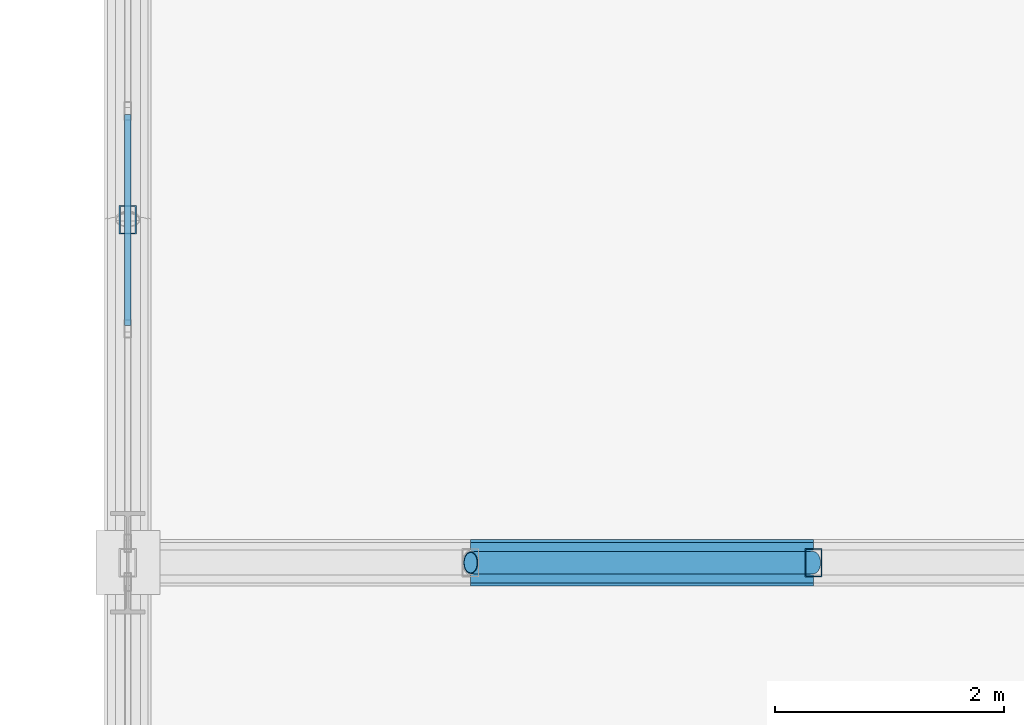
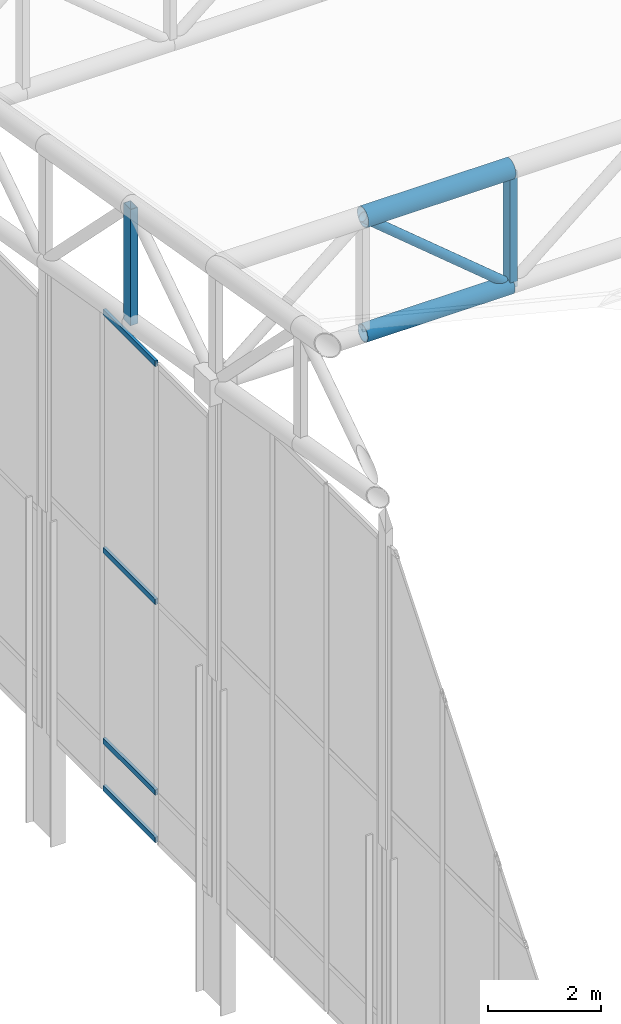
# One storey, part 88 of 239: 9 members, 1 element without a shape of its own.
"""IFC4 building model written with IfcOpenShell, lengths in metres."""

import ifcopenshell
import ifcopenshell.guid

model = None  # the IFC model being written
_history = None  # IfcOwnerHistory: only IFC2X3 demands one
_inside = {}  # id of a spatial element -> (the spatial element, [elements in it])
_under = {}  # id of a project, library or spatial element -> (it, [spatial elements below it])
_declared = {}  # id of a project -> (the project, [libraries it declares])
_typed = {}  # id of a type object -> (the type object, [elements of that type])
_made_of = {}  # id of a material, layer set ... -> (it, [elements and type objects made of it])


def new_model(schema):
    """Start an empty IFC model of exactly this schema.

    Asked for "IFC4X3", IfcOpenShell would pick the latest addendum, in which some entities
    have other attributes; the version numbers below select the first issue.
    IFC2X3 requires an IfcOwnerHistory on every rooted entity: one is made here for all.
    """
    global model, _history
    if schema == "IFC4X3":
        model = ifcopenshell.file(schema_version=(4, 3, 0, 0))
    else:
        model = ifcopenshell.file(schema=schema)
    _inside.clear()
    _under.clear()
    _declared.clear()
    _typed.clear()
    _made_of.clear()
    _history = None
    if model.schema == "IFC2X3":
        org = make("IfcOrganization", Name="unknown")
        user = make(
            "IfcPersonAndOrganization",
            ThePerson=make("IfcPerson", FamilyName="unknown"),
            TheOrganization=org,
        )
        app = make(
            "IfcApplication",
            ApplicationDeveloper=org,
            Version="unknown",
            ApplicationFullName="unknown",
            ApplicationIdentifier="unknown",
        )
        _history = make(
            "IfcOwnerHistory",
            OwningUser=user,
            OwningApplication=app,
            ChangeAction="ADDED",
            CreationDate=0,
        )
    return model


def make(cls, **values):
    """One entity of the class cls with the attributes given. An attribute that is None is left unset."""
    return model.create_entity(
        cls, **{name: value for name, value in values.items() if value is not None}
    )


def rooted(cls, **values):
    """An entity with a GlobalId (a new one), such as an element, a storey or a relation."""
    return make(cls, GlobalId=ifcopenshell.guid.new(), OwnerHistory=_history, **values)


def si_unit(unit_type, name, prefix=None):
    """IfcSIUnit, for example si_unit("LENGTHUNIT", "METRE", prefix="MILLI")."""
    return make("IfcSIUnit", UnitType=unit_type, Prefix=prefix, Name=name)


def assignment(units):
    """IfcUnitAssignment: the units of a project."""
    return None if units is None else make("IfcUnitAssignment", Units=units)


def point(xyz):
    """IfcCartesianPoint."""
    return None if xyz is None else make("IfcCartesianPoint", Coordinates=xyz)


def direction(xyz):
    """IfcDirection."""
    return None if xyz is None else make("IfcDirection", DirectionRatios=xyz)


def frame(location, z_axis=None, x_axis=None):
    """IfcAxis2Placement3D, a coordinate frame: its origin and axes. An axis left out is left unset."""
    return make(
        "IfcAxis2Placement3D",
        Location=point(location),
        Axis=direction(z_axis),
        RefDirection=direction(x_axis),
    )


def frame_2d(location, x_axis=None):
    """IfcAxis2Placement2D, a coordinate frame in the plane: its origin and x axis."""
    return make(
        "IfcAxis2Placement2D", Location=point(location), RefDirection=direction(x_axis)
    )


def origin():
    """The frame at (0, 0, 0) with its axes left unset."""
    return frame((0.0, 0.0, 0.0))


def origin_2d():
    """The frame at (0, 0) in the plane with its x axis left unset."""
    return frame_2d((0.0, 0.0))


def place(relative_to, where):
    """IfcLocalPlacement: puts the frame where relative to a parent placement (None: the world)."""
    return make(
        "IfcLocalPlacement", PlacementRelTo=relative_to, RelativePlacement=where
    )


def context(
    kind, dimensions, precision=None, world=None, true_north=None, identifier=None
):
    """IfcGeometricRepresentationContext, for example the 3D "Model" context."""
    return make(
        "IfcGeometricRepresentationContext",
        ContextIdentifier=identifier,
        ContextType=kind,
        CoordinateSpaceDimension=dimensions,
        Precision=precision,
        WorldCoordinateSystem=world,
        TrueNorth=true_north,
    )


def subcontext(parent, identifier, kind, view, scale=None):
    """IfcGeometricRepresentationSubContext, for example "Body" below "Model"."""
    return make(
        "IfcGeometricRepresentationSubContext",
        ContextIdentifier=identifier,
        ContextType=kind,
        ParentContext=parent,
        TargetScale=scale,
        TargetView=view,
    )


def project(units=None, contexts=None):
    """IfcProject with its units and contexts."""
    return rooted(
        "IfcProject",
        Name="project",
        RepresentationContexts=contexts,
        UnitsInContext=assignment(units),
    )


def spatial(cls, under=None, at=None, **own):
    """A site, building, storey or space (cls), placed at a placement, below another one or the project."""
    s = rooted(cls, ObjectPlacement=at, **own)
    if under is not None:
        _under.setdefault(under.id(), (under, []))[1].append(s)
    return s


def profile(cls, at=None, kind="AREA", **sizes):
    """A parametric profile (cls). Its sizes go by their IFC names, for example OverallWidth=200.0."""
    return make(cls, ProfileType=kind, Position=at, **sizes)


def hollow_rectangle(**sizes):
    """IfcRectangleHollowProfileDef."""
    return profile("IfcRectangleHollowProfileDef", **sizes)


def hollow_circle(**sizes):
    """IfcCircleHollowProfileDef."""
    return profile("IfcCircleHollowProfileDef", **sizes)


def extrude(swept, where, along, depth):
    """IfcExtrudedAreaSolid: the profile swept, set in the frame where, extruded along a direction by depth."""
    return make(
        "IfcExtrudedAreaSolid",
        SweptArea=swept,
        Position=where,
        ExtrudedDirection=direction(along),
        Depth=depth,
    )


def shape(context_of_items, identifier, shape_type, items):
    """IfcShapeRepresentation: the items that make up one representation, for example the "Body"."""
    return make(
        "IfcShapeRepresentation",
        ContextOfItems=context_of_items,
        RepresentationIdentifier=identifier,
        RepresentationType=shape_type,
        Items=items,
    )


def material(Name=None, Category=None):
    """IfcMaterial."""
    return make("IfcMaterial", Name=Name, Category=Category)


def material_profile(
    of_material, cross_section, Name=None, Category=None, Priority=None
):
    """IfcMaterialProfile: a cross section and its material."""
    return make(
        "IfcMaterialProfile",
        Name=Name,
        Material=of_material,
        Profile=cross_section,
        Priority=Priority,
        Category=Category,
    )


def profile_set(profiles, Name=None, composite=None):
    """IfcMaterialProfileSet."""
    return make(
        "IfcMaterialProfileSet",
        Name=Name,
        MaterialProfiles=profiles,
        CompositeProfile=composite,
    )


def made_of(thing, what):
    """Note that an element or type object is made of a material, layer set ...; save() writes the relation."""
    if what is not None:
        _made_of.setdefault(what.id(), (what, []))[1].append(thing)
    return thing


def type_object(cls, material=None, **own):
    """A type object (cls), such as IfcWallType, which elements share."""
    return made_of(rooted(cls, **own), material)


def element(
    cls,
    number,
    at=None,
    inside=None,
    cuts=None,
    type_object=None,
    material=None,
    context=None,
    identifier="Body",
    shape_type=None,
    held_by="IfcProductDefinitionShape",
    body=None,
    shapes=None,
    **own,
):
    """One element of the class cls, such as IfcWall. Its Tag is "e" and its number.

    at: its placement. inside: the storey or other place that contains it. cuts: it is an
    opening in that element (IfcRelVoidsElement). A single representation is given by context,
    identifier, shape_type and body (its items); several are given by shapes. held_by: the class
    of the entity that holds the representations. save() writes the other relations.
    """
    e = rooted(cls, Tag="e%d" % number, ObjectPlacement=at, **own)
    if body is not None:
        shapes = [shape(context, identifier, shape_type, body)]
    if shapes is not None:
        e.Representation = make(held_by, Representations=shapes)
    if inside is not None:
        _inside.setdefault(inside.id(), (inside, []))[1].append(e)
    if cuts is not None:
        rooted(
            "IfcRelVoidsElement", RelatingBuildingElement=cuts, RelatedOpeningElement=e
        )
    if type_object is not None:
        _typed.setdefault(type_object.id(), (type_object, []))[1].append(e)
    return made_of(e, material)


def aggregate(whole, parts):
    """IfcRelAggregates: a whole, such as a stair, and the parts it consists of."""
    return rooted("IfcRelAggregates", RelatingObject=whole, RelatedObjects=parts)


def save(model, path):
    """Write the relations noted so far, then the file.

    IfcRelAggregates (storeys below a building ...), IfcRelContainedInSpatialStructure (elements
    in a storey), IfcRelDefinesByType, IfcRelAssociatesMaterial and IfcRelDeclares: one each for
    every whole, place, type object, material and project.
    """
    for whole, parts in _under.values():
        aggregate(whole, parts)
    for where, things in _inside.values():
        rooted(
            "IfcRelContainedInSpatialStructure",
            RelatedElements=things,
            RelatingStructure=where,
        )
    for kind, things in _typed.values():
        rooted("IfcRelDefinesByType", RelatedObjects=things, RelatingType=kind)
    for what, things in _made_of.values():
        rooted("IfcRelAssociatesMaterial", RelatedObjects=things, RelatingMaterial=what)
    for by, libraries in _declared.values():
        rooted("IfcRelDeclares", RelatingContext=by, RelatedDefinitions=libraries)
    model.write(path)


model = new_model("IFC4")

# Units and contexts
model_context = context("Model", 3, precision=1e-05, world=origin(), true_north=direction((0.0, 1.0)))
body_context = subcontext(model_context, "Body", "Model", "MODEL_VIEW")
ifc_project = project(units=[si_unit("LENGTHUNIT", "METRE"), si_unit("AREAUNIT", "SQUARE_METRE"), si_unit("VOLUMEUNIT", "CUBIC_METRE"), si_unit("PLANEANGLEUNIT", "RADIAN"), si_unit("MASSUNIT", "GRAM", prefix="KILO")], contexts=[model_context])

# Site, building, storey
site_placement = place(None, origin())
site = spatial("IfcSite", under=ifc_project, at=site_placement, CompositionType="ELEMENT")
building_placement = place(site_placement, origin())
building = spatial("IfcBuilding", under=site, at=building_placement, Name="Kaldris Quays Convention Centre", CompositionType="ELEMENT")
storey_placement = place(building_placement, frame((0.0, 0.0, 11.39990234375)))
storey = spatial("IfcBuildingStorey", under=building, at=storey_placement, Name="L02", CompositionType="ELEMENT", Elevation=11.39990234375)

# Curtain wall, members
ifc_material_1 = material(Name="Anodized aluminium AW-6060 and triple glazing", Category="aluminium")
curtain_wall_type = type_object("IfcCurtainWallType", Name="UNITISED CURTAIN WALL CW03", PredefinedType="NOTDEFINED", material=ifc_material_1)
curtain_wall_placement = place(storey_placement, origin())
curtain_wall = element("IfcCurtainWall", 1, at=curtain_wall_placement, inside=storey, type_object=curtain_wall_type, Name="L02 Unitised Curtain Wall CW03 221", PredefinedType="NOTDEFINED")
ifc_material_2 = material(Name="Anodized aluminium AW-6060", Category="aluminium")
ifc_material_profile_1 = material_profile(ifc_material_2, hollow_rectangle(XDim=0.06005859375, YDim=0.1201171875, WallThickness=0.00390625, at=origin_2d()), Name="RHS 120x60x4")
ifc_profile_set_1 = profile_set([ifc_material_profile_1], Name="Anodized aluminium AW-6060")
member_type_1 = type_object("IfcMemberType", Name="CURTAIN TRANSOM CWT1", PredefinedType="USERDEFINED", material=ifc_profile_set_1)
member_1_placement = place(storey_placement, frame((20.0, 106.07666015625, 2.22509765625), z_axis=(0.0, 1.0, 0.0), x_axis=(-1.0, 0.0, 0.0)))
member_1 = element("IfcMember", 2, at=member_1_placement, type_object=member_type_1, Name="CW03 transom 2.1", ObjectType="TRANSOM", PredefinedType="USERDEFINED", context=body_context, shape_type="SweptSolid", body=[
    extrude(hollow_rectangle(XDim=0.06005859375, YDim=0.1201171875, WallThickness=0.00390625, at=origin_2d()), origin(), (0.0, 0.0, 1.0), 1.8466796875),
])
member_2_placement = place(storey_placement, frame((20.0, 106.07666015625, 3.2451171875), z_axis=(0.0, 1.0, 0.0), x_axis=(-1.0, 0.0, 0.0)))
member_2 = element("IfcMember", 3, at=member_2_placement, type_object=member_type_1, Name="CW03 transom 2.2", ObjectType="TRANSOM", PredefinedType="USERDEFINED", context=body_context, shape_type="SweptSolid", body=[
    extrude(hollow_rectangle(XDim=0.06005859375, YDim=0.1201171875, WallThickness=0.00390625, at=origin_2d()), origin(), (0.0, 0.0, 1.0), 1.8466796875),
])
member_3_placement = place(storey_placement, frame((20.0, 106.07666015625, 7.35107421875), z_axis=(0.0, 1.0, 0.0), x_axis=(-1.0, 0.0, 0.0)))
member_3 = element("IfcMember", 4, at=member_3_placement, type_object=member_type_1, Name="CW03 transom 2.3", ObjectType="TRANSOM", PredefinedType="USERDEFINED", context=body_context, shape_type="SweptSolid", body=[
    extrude(hollow_rectangle(XDim=0.06005859375, YDim=0.1201171875, WallThickness=0.00390625, at=origin_2d()), origin(), (0.0, 0.0, 1.0), 1.8466796875),
])
member_4_placement = place(storey_placement, frame((20.0, 106.07666015625, 12.47705078125), z_axis=(0.0, 1.0, 0.0), x_axis=(-1.0, 0.0, 0.0)))
member_4 = element("IfcMember", 5, at=member_4_placement, type_object=member_type_1, Name="CW03 transom 2.4", ObjectType="TRANSOM", PredefinedType="USERDEFINED", context=body_context, shape_type="SweptSolid", body=[
    extrude(hollow_rectangle(XDim=0.06005859375, YDim=0.1201171875, WallThickness=0.00390625, at=origin_2d()), origin(), (0.0, 0.0, 1.0), 1.8466796875),
])
aggregate(curtain_wall, [member_1, member_2, member_3, member_4])

# Members
ifc_material_3 = material(Name="Steel S355J2H", Category="steel")
ifc_material_profile_2 = material_profile(ifc_material_3, hollow_circle(Radius=0.203125, WallThickness=0.01611328125, at=origin_2d()), Name="CHS 406.4x16")
ifc_profile_set_2 = profile_set([ifc_material_profile_2], Name="Steel S355J2H")
member_type_2 = type_object("IfcMemberType", Name="STRUCTURAL MEMBER SC01", PredefinedType="CHORD", material=ifc_profile_set_2)
member_5_placement = place(storey_placement, frame((23.0, 104.0, 15.84326171875), z_axis=(1.0, 0.0, 0.0), x_axis=(0.0, 1.0, 0.0)))
element("IfcMember", 6, at=member_5_placement, inside=storey, type_object=member_type_2, Name="SF-V1 Top Chord X 170", PredefinedType="CHORD", context=body_context, shape_type="SweptSolid", body=[
    extrude(hollow_circle(Radius=0.203125, WallThickness=0.01611328125, at=origin_2d()), origin(), (0.0, 0.0, 1.0), 3.0),
])
ifc_material_profile_3 = material_profile(ifc_material_3, hollow_circle(Radius=0.177734375, WallThickness=0.01611328125, at=origin_2d()), Name="CHS 355.6x16")
ifc_profile_set_3 = profile_set([ifc_material_profile_3], Name="Steel S355J2H")
member_type_3 = type_object("IfcMemberType", Name="STRUCTURAL MEMBER SC02", PredefinedType="CHORD", material=ifc_profile_set_3)
member_6_placement = place(storey_placement, frame((23.0, 104.0, 13.34326171875), z_axis=(1.0, 0.0, 0.0), x_axis=(0.0, 1.0, 0.0)))
element("IfcMember", 7, at=member_6_placement, inside=storey, type_object=member_type_3, Name="SF-V1 Bottom Chord X 170", PredefinedType="CHORD", context=body_context, shape_type="SweptSolid", body=[
    extrude(hollow_circle(Radius=0.177734375, WallThickness=0.01611328125, at=origin_2d()), origin(), (0.0, 0.0, 1.0), 3.0),
])
ifc_material_profile_4 = material_profile(ifc_material_3, hollow_circle(Radius=0.096923828125, WallThickness=0.008056640625, at=origin_2d()), Name="CHS 193.7x8")
ifc_profile_set_4 = profile_set([ifc_material_profile_4], Name="Steel S355J2H")
member_type_4 = type_object("IfcMemberType", Name="STRUCTURAL MEMBER SWB3", PredefinedType="BRACE", material=ifc_profile_set_4)
member_7_placement = place(storey_placement, frame((26.0, 104.0, 13.34326171875), z_axis=(-0.768221279597, 0.0, 0.640184399664), x_axis=(0.0, -1.0, 0.0)))
element("IfcMember", 8, at=member_7_placement, inside=storey, type_object=member_type_4, Name="SF-V1 Web Diagonal X 170", PredefinedType="BRACE", context=body_context, shape_type="SweptSolid", body=[
    extrude(hollow_circle(Radius=0.096923828125, WallThickness=0.008056640625, at=origin_2d()), origin(), (0.0, 0.0, 1.0), 3.905029296875),
])
ifc_material_profile_5 = material_profile(ifc_material_3, hollow_rectangle(XDim=0.14990234375, YDim=0.25, WallThickness=0.010009765625, at=origin_2d()), Name="RHS 250x150x10")
ifc_profile_set_5 = profile_set([ifc_material_profile_5], Name="Steel S355J2H")
member_type_5 = type_object("IfcMemberType", Name="STRUCTURAL MEMBER TTV1", PredefinedType="POST", material=ifc_profile_set_5)
for number, where, z_axis, x_axis, name in (
    (9, (20.0, 107.0, 12.8291015625), (0.0, 0.0, 1.0), (1.0, 0.0, 0.0), "SF-V1 Space-Frame Post 18"),
    (10, (26.0, 104.0, 13.34326171875), (0.0, 0.0, 1.0), (1.0, 0.0, 0.0), "SF-V1 Space-Frame Post 42"),
):
    element("IfcMember", number, at=place(storey_placement, frame(where, z_axis=z_axis, x_axis=x_axis)), inside=storey, type_object=member_type_5, Name=name, PredefinedType="POST", context=body_context, shape_type="SweptSolid", body=[
        extrude(hollow_rectangle(XDim=0.14990234375, YDim=0.25, WallThickness=0.010009765625, at=origin_2d()), origin(), (0.0, 0.0, 1.0), 2.5),
    ])

save(model, "model.ifc")
